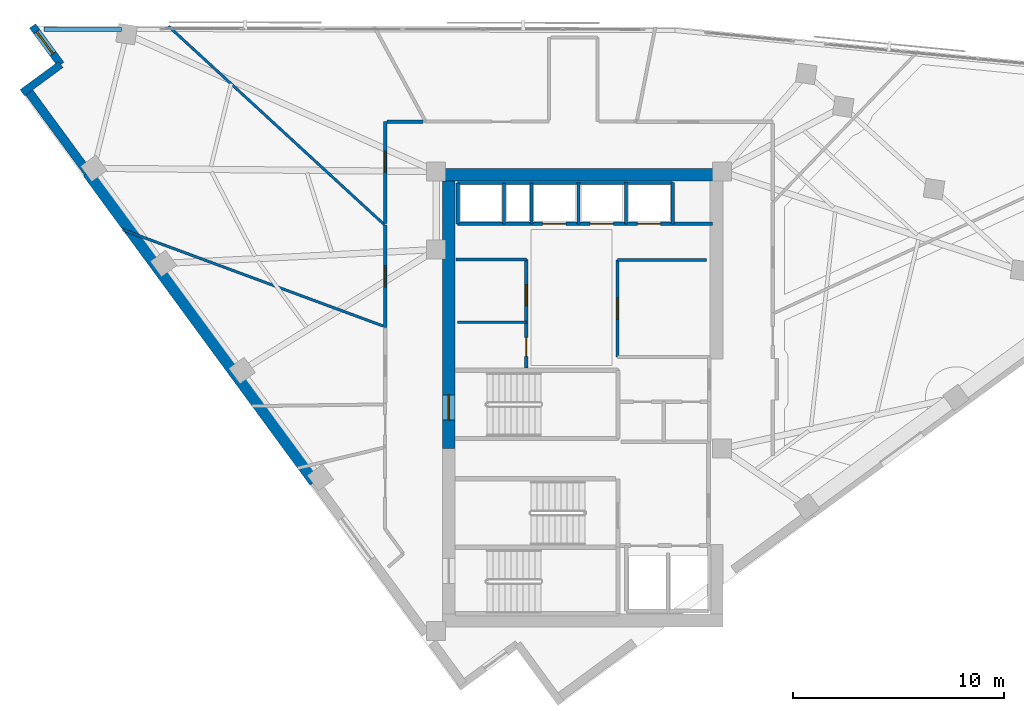
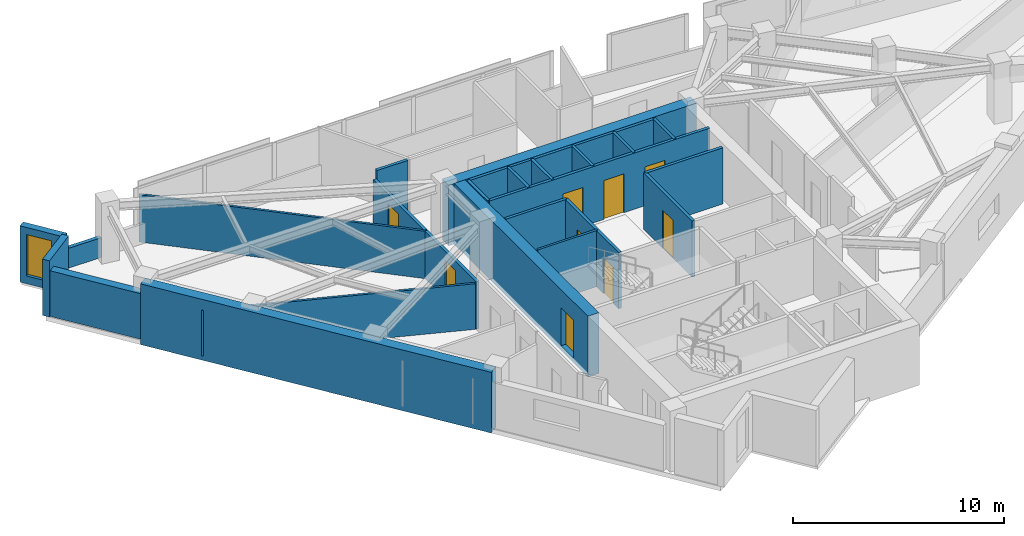
# One storey, part 9 of 13: 26 walls, 9 doors, 1 window, 10 openings.
"""IFC4 building model written with IfcOpenShell, lengths in metres."""

from ifc_helpers import new_model, si_unit, direction, frame, frame_2d, origin, place, context, subcontext, project, spatial, rectangle, extrude, material, layer, layer_set, type_object, element, fill, save


model = new_model("IFC4")

# Units and contexts
model_context = context("Model", 3, precision=1e-05, world=origin(), true_north=direction((0.0, 1.0)))
body_context = subcontext(model_context, "Body", "Model", "MODEL_VIEW")
ifc_project = project(units=[si_unit("LENGTHUNIT", "METRE"), si_unit("AREAUNIT", "SQUARE_METRE"), si_unit("VOLUMEUNIT", "CUBIC_METRE"), si_unit("PLANEANGLEUNIT", "RADIAN"), si_unit("MASSUNIT", "GRAM", prefix="KILO")], contexts=[model_context])

# Site, building, storey
site_placement = place(None, origin())
site = spatial("IfcSite", under=ifc_project, at=site_placement, CompositionType="ELEMENT")
building_placement = place(site_placement, origin())
building = spatial("IfcBuilding", under=site, at=building_placement, Name="Narakoshi Arena Tower", CompositionType="ELEMENT")
storey_placement = place(building_placement, frame((0.0, 0.0, 239.6201171875)))
storey = spatial("IfcBuildingStorey", under=building, at=storey_placement, Name="L65", CompositionType="ELEMENT", Elevation=239.6201171875)

# Wall, opening, door
ifc_material_1 = material(Name="Concrete C50/60", Category="concrete")
ifc_layer_1 = layer(ifc_material_1, 0.60009765625)
ifc_layer_set_1 = layer_set([ifc_layer_1], Name="Concrete C50/60")
wall_type_1 = type_object("IfcWallType", Name="WL-CORE-600", PredefinedType="SHEAR", material=ifc_layer_set_1)
wall_1_placement = place(storey_placement, frame((72.60009765625, 43.35009765625, -0.260009765625), z_axis=(0.0, 0.0, 1.0), x_axis=(0.0, 1.0, 0.0)))
wall_1 = element("IfcWall", 1, at=wall_1_placement, inside=storey, type_object=wall_type_1, Name="L65 Main Core Shear Wall CW-MN-W", PredefinedType="SHEAR", context=body_context, shape_type="SweptSolid", body=[
    extrude(rectangle(XDim=12.699951171875, YDim=0.60009765625, at=frame_2d((6.35009765625, 0.0))), origin(), (0.0, 0.0, 1.0), 3.519775390625),
])
opening_1_placement = place(wall_1_placement, frame((1.35009765625, 0.0, 0.260009765625)))
opening_1 = element("IfcOpeningElement", 2, at=opening_1_placement, cuts=wall_1, Name="Opening D-03", PredefinedType="OPENING", context=body_context, shape_type="SweptSolid", body=[
    extrude(rectangle(XDim=1.199951171875, YDim=2.199951171875, at=frame_2d((0.60009765625, 1.10009765625))), frame((0.0, 0.31005859375, 0.0), z_axis=(0.0, -1.0, 0.0), x_axis=(1.0, 0.0, 0.0)), (0.0, 0.0, 1.0), 0.6201171875),
])
ifc_material_2 = material(Name="Painted galvanized steel", Category="steel")
door_type_1 = type_object("IfcDoorType", Name="DR-STR-1200", OperationType="NOTDEFINED", PredefinedType="USERDEFINED", material=ifc_material_2)
door_1_placement = place(opening_1_placement, frame((1.199951171875, 0.0, 0.0), z_axis=(0.0, 0.0, 1.0), x_axis=(-1.0, 0.0, 0.0)))
door_1 = element("IfcDoor", 3, at=door_1_placement, inside=storey, type_object=door_type_1, Name="DR-L65-006", ObjectType="EXITDOOR", OperationType="SINGLE_SWING_LEFT", OverallHeight=2.199951171875, OverallWidth=1.199951171875, PredefinedType="USERDEFINED", context=body_context, shape_type="SweptSolid", body=[
    extrude(rectangle(XDim=1.199951171875, YDim=2.199951171875, at=frame_2d((0.60009765625, 1.10009765625))), frame((0.0, 0.02490234375, 0.0), z_axis=(0.0, -1.0, 0.0), x_axis=(1.0, 0.0, 0.0)), (0.0, 0.0, 1.0), 0.050048828125),
])
fill(opening_1, door_1)

# Wall
wall_2_placement = place(storey_placement, frame((72.0, 56.35009765625, -0.260009765625), z_axis=(0.0, 0.0, 1.0), x_axis=(1.0, 0.0, 0.0)))
element("IfcWall", 4, at=wall_2_placement, inside=storey, type_object=wall_type_1, Name="L65 Main Core Shear Wall CW-MN-N", PredefinedType="SHEAR", context=body_context, shape_type="SweptSolid", body=[
    extrude(rectangle(XDim=13.60009765625, YDim=0.60009765625, at=frame_2d((6.800048828125, 0.0))), origin(), (0.0, 0.0, 1.0), 3.519775390625),
])

# Wall, opening, door
ifc_material_3 = material(Name="Gypsum plasterboard fire-rated partition")
ifc_layer_2 = layer(ifc_material_3, 0.1650390625)
ifc_layer_set_2 = layer_set([ifc_layer_2], Name="Gypsum plasterboard fire-rated partition")
wall_type_2 = type_object("IfcWallType", Name="WL-CORR-165", PredefinedType="PARTITIONING", material=ifc_layer_set_2)
wall_3_placement = place(storey_placement, frame((69.577880859375, 53.96826171875, 0.0), z_axis=(0.0, 0.0, 1.0), x_axis=(0.0, -1.0, 0.0)))
wall_3 = element("IfcWall", 5, at=wall_3_placement, inside=storey, type_object=wall_type_2, Name="L65 Corridor Partition 07-1", PredefinedType="PARTITIONING", context=body_context, shape_type="SweptSolid", body=[
    extrude(rectangle(XDim=4.87158203125, YDim=0.1650390625, at=frame_2d((2.435791015625, 0.0))), origin(), (0.0, 0.0, 1.0), 2.744873046875),
])
opening_2_placement = place(wall_3_placement, frame((1.935791015625, 0.0, 0.0)))
opening_2 = element("IfcOpeningElement", 6, at=opening_2_placement, cuts=wall_3, Name="Opening D-06", PredefinedType="OPENING", context=body_context, shape_type="SweptSolid", body=[
    extrude(rectangle(XDim=1.0, YDim=2.199951171875, at=frame_2d((0.5, 1.10009765625))), frame((0.0, 0.092529296875, 0.0), z_axis=(0.0, -1.0, 0.0), x_axis=(1.0, 0.0, 0.0)), (0.0, 0.0, 1.0), 0.18505859375),
])
ifc_material_4 = material(Name="Stained oak solid-core timber", Category="wood")
door_type_2 = type_object("IfcDoorType", Name="DR-OFF-1000", OperationType="NOTDEFINED", PredefinedType="DOOR", material=ifc_material_4)
door_2_placement = place(opening_2_placement, frame((1.0, 0.0, 0.0), z_axis=(0.0, 0.0, 1.0), x_axis=(-1.0, 0.0, 0.0)))
door_2 = element("IfcDoor", 7, at=door_2_placement, inside=storey, type_object=door_type_2, Name="DR-L65-022", OperationType="SINGLE_SWING_LEFT", OverallHeight=2.199951171875, OverallWidth=1.0, PredefinedType="DOOR", context=body_context, shape_type="SweptSolid", body=[
    extrude(rectangle(XDim=1.0, YDim=2.199951171875, at=frame_2d((0.5, 1.10009765625))), frame((0.0, 0.02490234375, 0.0), z_axis=(0.0, -1.0, 0.0), x_axis=(1.0, 0.0, 0.0)), (0.0, 0.0, 1.0), 0.050048828125),
])
fill(opening_2, door_2)

wall_4_placement = place(storey_placement, frame((69.577880859375, 58.872314453125, 0.0), z_axis=(0.0, 0.0, 1.0), x_axis=(0.0, -1.0, 0.0)))
wall_4 = element("IfcWall", 8, at=wall_4_placement, inside=storey, type_object=wall_type_2, Name="L65 Corridor Partition 08-1", PredefinedType="PARTITIONING", context=body_context, shape_type="SweptSolid", body=[
    extrude(rectangle(XDim=4.830322265625, YDim=0.1650390625, at=frame_2d((2.4150390625, 0.0))), origin(), (0.0, 0.0, 1.0), 2.744873046875),
])
opening_3_placement = place(wall_4_placement, frame((1.400634765625, 0.0, 0.0)))
opening_3 = element("IfcOpeningElement", 9, at=opening_3_placement, cuts=wall_4, Name="Opening D-06", PredefinedType="OPENING", context=body_context, shape_type="SweptSolid", body=[
    extrude(rectangle(XDim=1.0, YDim=2.199951171875, at=frame_2d((0.5, 1.10009765625))), frame((0.0, 0.092529296875, 0.0), z_axis=(0.0, -1.0, 0.0), x_axis=(1.0, 0.0, 0.0)), (0.0, 0.0, 1.0), 0.18505859375),
])
door_3_placement = place(opening_3_placement, frame((1.0, 0.0, 0.0), z_axis=(0.0, 0.0, 1.0), x_axis=(-1.0, 0.0, 0.0)))
door_3 = element("IfcDoor", 10, at=door_3_placement, inside=storey, type_object=door_type_2, Name="DR-L65-023", OperationType="SINGLE_SWING_RIGHT", OverallHeight=2.199951171875, OverallWidth=1.0, PredefinedType="DOOR", context=body_context, shape_type="SweptSolid", body=[
    extrude(rectangle(XDim=1.0, YDim=2.199951171875, at=frame_2d((0.5, 1.10009765625))), frame((0.0, 0.02490234375, 0.0), z_axis=(0.0, -1.0, 0.0), x_axis=(1.0, 0.0, 0.0)), (0.0, 0.0, 1.0), 0.050048828125),
])
fill(opening_3, door_3)

# Walls
wall_5_placement = place(storey_placement, frame((71.3671875, 58.872314453125, 0.0), z_axis=(0.0, 0.0, 1.0), x_axis=(-1.0, 0.0, 0.0)))
element("IfcWall", 11, at=wall_5_placement, inside=storey, type_object=wall_type_2, Name="L65 Corridor Partition 08-2", PredefinedType="PARTITIONING", context=body_context, shape_type="SweptSolid", body=[
    extrude(rectangle(XDim=1.69482421875, YDim=0.1650390625, at=frame_2d((0.847412109375, 0.0))), origin(), (0.0, 0.0, 1.0), 3.259765625),
])
ifc_layer_3 = layer(ifc_material_1, 0.550048828125)
ifc_layer_set_3 = layer_set([ifc_layer_3], Name="Concrete C50/60")
wall_type_3 = type_object("IfcWallType", Name="WL-LEG-550", PredefinedType="SHEAR", material=ifc_layer_set_3)
wall_6_placement = place(storey_placement, frame((55.47509765625, 56.450439453125, -0.260009765625), z_axis=(0.0, 0.0, 1.0), x_axis=(0.591309555876, -0.806444672082, 0.0)))
element("IfcWall", 12, at=wall_6_placement, inside=storey, type_object=wall_type_3, Name="L65 Architectural Concrete Structural Wall LEGB-2", PredefinedType="SHEAR", context=body_context, shape_type="SweptSolid", body=[
    extrude(rectangle(XDim=18.1923828125, YDim=0.550048828125, at=frame_2d((9.09619140625, 0.0))), origin(), (0.0, 0.0, 1.0), 3.519775390625),
])
ifc_material_5 = material(Name="Precast concrete C45/55", Category="concrete")
ifc_layer_4 = layer(ifc_material_5, 0.25)
ifc_layer_set_4 = layer_set([ifc_layer_4], Name="Precast concrete C45/55")
wall_type_4 = type_object("IfcWallType", Name="WL-PARA-250", PredefinedType="PARAPET", material=ifc_layer_set_4)
wall_7_placement = place(storey_placement, frame((57.064208984375, 63.240966796875, 0.0), z_axis=(0.0, 0.0, 1.0), x_axis=(-0.999998274159, 0.001857869529, 0.0)))
element("IfcWall", 13, at=wall_7_placement, inside=storey, type_object=wall_type_4, Name="L65 Hypotenuse Sill Upstand Parapet 2-02", PredefinedType="PARAPET", context=body_context, shape_type="SweptSolid", body=[
    extrude(rectangle(XDim=3.679443359375, YDim=0.199951171875, at=frame_2d((1.83984375, 0.0))), origin(), (0.0, 0.0, 1.0), 1.14990234375),
])
ifc_layer_5 = layer(ifc_material_3, 0.125)
ifc_layer_set_5 = layer_set([ifc_layer_5], Name="Gypsum plasterboard fire-rated partition")
wall_type_5 = type_object("IfcWallType", Name="WL-PART-125", PredefinedType="PARTITIONING", material=ifc_layer_set_5)
wall_8_placement = place(storey_placement, frame((73.0, 49.35009765625, 0.0), z_axis=(0.0, 0.0, 1.0), x_axis=(1.0, 0.0, 0.0)))
element("IfcWall", 14, at=wall_8_placement, inside=storey, type_object=wall_type_5, Name="L65 Core Wall RCL-LR-D1", PredefinedType="PARTITIONING", context=body_context, shape_type="SweptSolid", body=[
    extrude(rectangle(XDim=3.280029296875, YDim=0.125, at=frame_2d((1.64013671875, 0.0))), origin(), (0.0, 0.0, 1.0), 3.259765625),
])
wall_9_placement = place(storey_placement, frame((59.295166015625, 63.39697265625, 0.0), z_axis=(0.0, 0.0, 1.0), x_axis=(0.736065490845, -0.676910328764, 0.0)))
element("IfcWall", 15, at=wall_9_placement, inside=storey, type_object=wall_type_5, Name="L65 Inter-Room Partition 07-08", PredefinedType="PARTITIONING", context=body_context, shape_type="SweptSolid", body=[
    extrude(rectangle(XDim=13.928955078125, YDim=0.125, at=frame_2d((6.96435546875, 0.0))), origin(), (0.0, 0.0, 1.0), 2.744873046875),
])
wall_10_placement = place(storey_placement, frame((69.4833984375, 49.170166015625, 0.0), z_axis=(0.0, 0.0, 1.0), x_axis=(-0.93795796186, 0.346748989593, 0.0)))
element("IfcWall", 16, at=wall_10_placement, inside=storey, type_object=wall_type_5, Name="L65 Inter-Room Partition 07-09", PredefinedType="PARTITIONING", context=body_context, shape_type="SweptSolid", body=[
    extrude(rectangle(XDim=13.1796875, YDim=0.125, at=frame_2d((6.58984375, 0.0))), origin(), (0.0, 0.0, 1.0), 2.644775390625),
])
ifc_layer_6 = layer(ifc_material_5, 0.419921875)
ifc_layer_set_6 = layer_set([ifc_layer_6], Name="Precast concrete C45/55")
wall_type_6 = type_object("IfcWallType", Name="WL-POD-420", PredefinedType="SOLIDWALL", material=ifc_layer_set_6)
wall_11_placement = place(storey_placement, frame((52.578857421875, 60.400390625, 0.0), z_axis=(0.0, 0.0, 1.0), x_axis=(0.591311800505, -0.806443026248, 0.0)))
element("IfcWall", 17, at=wall_11_placement, inside=storey, type_object=wall_type_6, Name="L65 Architectural Concrete Facade Wall LEGB-1", PredefinedType="SOLIDWALL", context=body_context, shape_type="SweptSolid", body=[
    extrude(rectangle(XDim=4.89794921875, YDim=0.419921875, at=frame_2d((2.448974609375, 0.0))), origin(), (0.0, 0.0, 1.0), 2.644775390625),
])

# Wall, opening, window
wall_12_placement = place(storey_placement, frame((52.84521484375, 63.40869140625, 0.0), z_axis=(0.0, 0.0, 1.0), x_axis=(0.591251685745, -0.806487101015, 0.0)))
wall_12 = element("IfcWall", 18, at=wall_12_placement, inside=storey, type_object=wall_type_6, Name="L65 Re-Entrant Corner Notch Wall NTN-1", PredefinedType="SOLIDWALL", context=body_context, shape_type="SweptSolid", body=[
    extrude(rectangle(XDim=2.2685546875, YDim=0.360107421875, at=frame_2d((1.13427734375, 0.0))), origin(), (0.0, 0.0, 1.0), 3.259765625),
])
opening_4_placement = place(wall_12_placement, frame((0.340087890625, 0.0, 0.449951171875)))
opening_4 = element("IfcOpeningElement", 19, at=opening_4_placement, cuts=wall_12, Name="Opening WN-06", PredefinedType="OPENING", context=body_context, shape_type="SweptSolid", body=[
    extrude(rectangle(XDim=1.300048828125, YDim=2.39990234375, at=frame_2d((0.64990234375, 1.199951171875))), frame((0.0, 0.18994140625, 0.0), z_axis=(0.0, -1.0, 0.0), x_axis=(1.0, 0.0, 0.0)), (0.0, 0.0, 1.0), 0.380126953125),
])
ifc_material_6 = material(Name="Bronze-tinted low-E laminated glass", Category="glass")
window_type = type_object("IfcWindowType", Name="WIN-NTC-16x24", PartitioningType="SINGLE_PANEL", PredefinedType="WINDOW", material=ifc_material_6)
window_placement = place(opening_4_placement, origin())
window = element("IfcWindow", 20, at=window_placement, inside=storey, type_object=window_type, Name="L65 Corner Notch Window NTN", OverallHeight=2.39990234375, OverallWidth=1.300048828125, PartitioningType="SINGLE_PANEL", PredefinedType="WINDOW", context=body_context, shape_type="SweptSolid", body=[
    extrude(rectangle(XDim=1.300048828125, YDim=2.39990234375, at=frame_2d((0.64990234375, 1.199951171875))), frame((0.0, 0.030029296875, 0.0), z_axis=(0.0, -1.0, 0.0), x_axis=(1.0, 0.0, 0.0)), (0.0, 0.0, 1.0), 0.06005859375),
])
fill(opening_4, window)

# Walls
wall_13_placement = place(storey_placement, frame((54.1865234375, 61.5791015625, 0.0), z_axis=(0.0, 0.0, 1.0), x_axis=(-0.806449475274, -0.591303005092, 0.0)))
element("IfcWall", 21, at=wall_13_placement, inside=storey, type_object=wall_type_6, Name="L65 Re-Entrant Corner Notch Wall NTN-2", PredefinedType="SOLIDWALL", context=body_context, shape_type="SweptSolid", body=[
    extrude(rectangle(XDim=2.268310546875, YDim=0.360107421875, at=frame_2d((1.13427734375, 0.0))), origin(), (0.0, 0.0, 1.0), 3.259765625),
])
ifc_material_7 = material(Name="Concrete C40/50", Category="concrete")
ifc_layer_7 = layer(ifc_material_7, 0.280029296875)
ifc_layer_set_7 = layer_set([ifc_layer_7], Name="Concrete C40/50")
wall_type_7 = type_object("IfcWallType", Name="WL-RISER-280", PredefinedType="PLUMBINGWALL", material=ifc_layer_set_7)
for number, where, z_axis, x_axis, name in (
    (22, (73.02001953125, 54.02001953125, 0.0), (0.0, 0.0, 1.0), (0.0, 1.0, 0.0), "L65 Core Wall OBS-W"),
    (23, (75.219970703125, 54.02001953125, 0.0), (0.0, 0.0, 1.0), (0.0, 1.0, 0.0), "L65 Core Wall OBS-M"),
):
    element("IfcWall", number, at=place(storey_placement, frame(where, z_axis=z_axis, x_axis=x_axis)), inside=storey, type_object=wall_type_7, Name=name, PredefinedType="PLUMBINGWALL", context=body_context, shape_type="SweptSolid", body=[
        extrude(rectangle(XDim=1.93994140625, YDim=0.14990234375, at=frame_2d((0.969970703125, 0.0))), origin(), (0.0, 0.0, 1.0), 3.259765625),
    ])
for number, where, z_axis, x_axis, name in (
    (24, (78.75, 54.02001953125, 0.0), (0.0, 0.0, 1.0), (0.0, 1.0, 0.0), "L65 Core Wall HR-D1"),
    (25, (81.0, 54.02001953125, 0.0), (0.0, 0.0, 1.0), (0.0, 1.0, 0.0), "L65 Core Wall HR-D2"),
):
    element("IfcWall", number, at=place(storey_placement, frame(where, z_axis=z_axis, x_axis=x_axis)), inside=storey, type_object=wall_type_7, Name=name, PredefinedType="PLUMBINGWALL", context=body_context, shape_type="SweptSolid", body=[
        extrude(rectangle(XDim=1.9599609375, YDim=0.14990234375, at=frame_2d((0.97998046875, 0.0))), origin(), (0.0, 0.0, 1.0), 3.259765625),
    ])

# Wall, openings, doors
ifc_layer_8 = layer(ifc_material_1, 0.35009765625)
ifc_layer_set_8 = layer_set([ifc_layer_8], Name="Concrete C50/60")
wall_type_8 = type_object("IfcWallType", Name="WL-SHAFT-350", PredefinedType="SOLIDWALL", material=ifc_layer_set_8)
wall_14_placement = place(storey_placement, frame((76.280029296875, 47.179931640625, 0.0), z_axis=(0.0, 0.0, 1.0), x_axis=(0.0, 1.0, 0.0)))
wall_14 = element("IfcWall", 26, at=wall_14_placement, inside=storey, type_object=wall_type_8, Name="L65 Core Wall LR-E", PredefinedType="SOLIDWALL", context=body_context, shape_type="SweptSolid", body=[
    extrude(rectangle(XDim=5.14013671875, YDim=0.159912109375, at=frame_2d((2.570068359375, 0.0))), origin(), (0.0, 0.0, 1.0), 3.259765625),
])
opening_5_placement = place(wall_14_placement, frame((0.550048828125, 0.0, 0.0)))
opening_5 = element("IfcOpeningElement", 27, at=opening_5_placement, cuts=wall_14, Name="Opening D-08", PredefinedType="OPENING", context=body_context, shape_type="SweptSolid", body=[
    extrude(rectangle(XDim=0.89990234375, YDim=2.10009765625, at=frame_2d((0.449951171875, 1.050048828125))), frame((0.0, 0.08984375, 0.0), z_axis=(0.0, -1.0, 0.0), x_axis=(1.0, 0.0, 0.0)), (0.0, 0.0, 1.0), 0.179931640625),
])
opening_6_placement = place(wall_14_placement, frame((2.949951171875, 0.0, 0.0)))
opening_6 = element("IfcOpeningElement", 28, at=opening_6_placement, cuts=wall_14, Name="Opening D-06", PredefinedType="OPENING", context=body_context, shape_type="SweptSolid", body=[
    extrude(rectangle(XDim=1.0, YDim=2.199951171875, at=frame_2d((0.5, 1.10009765625))), frame((0.0, 0.08984375, 0.0), z_axis=(0.0, -1.0, 0.0), x_axis=(1.0, 0.0, 0.0)), (0.0, 0.0, 1.0), 0.179931640625),
])
door_4_placement = place(opening_6_placement, frame((1.0, 0.0, 0.0), z_axis=(0.0, 0.0, 1.0), x_axis=(-1.0, 0.0, 0.0)))
door_4 = element("IfcDoor", 29, at=door_4_placement, inside=storey, type_object=door_type_2, Name="DR-L65-011", OperationType="SINGLE_SWING_LEFT", OverallHeight=2.199951171875, OverallWidth=1.0, PredefinedType="DOOR", context=body_context, shape_type="SweptSolid", body=[
    extrude(rectangle(XDim=1.0, YDim=2.199951171875, at=frame_2d((0.5, 1.10009765625))), frame((0.0, 0.02490234375, 0.0), z_axis=(0.0, -1.0, 0.0), x_axis=(1.0, 0.0, 0.0)), (0.0, 0.0, 1.0), 0.050048828125),
])
fill(opening_6, door_4)
ifc_material_8 = material(Name="Moisture-resistant laminate timber", Category="wood")
door_type_3 = type_object("IfcDoorType", Name="DR-WC-900", OperationType="NOTDEFINED", PredefinedType="DOOR", material=ifc_material_8)
door_5_placement = place(opening_5_placement, frame((0.89990234375, 0.0, 0.0), z_axis=(0.0, 0.0, 1.0), x_axis=(-1.0, 0.0, 0.0)))
door_5 = element("IfcDoor", 30, at=door_5_placement, inside=storey, type_object=door_type_3, Name="DR-L65-010", OperationType="SINGLE_SWING_RIGHT", OverallHeight=2.10009765625, OverallWidth=0.89990234375, PredefinedType="DOOR", context=body_context, shape_type="SweptSolid", body=[
    extrude(rectangle(XDim=0.89990234375, YDim=2.10009765625, at=frame_2d((0.449951171875, 1.050048828125))), frame((0.0, 0.02490234375, 0.0), z_axis=(0.0, -1.0, 0.0), x_axis=(1.0, 0.0, 0.0)), (0.0, 0.0, 1.0), 0.050048828125),
])
fill(opening_5, door_5)

# Wall
wall_15_placement = place(storey_placement, frame((72.949951171875, 52.320068359375, 0.0), z_axis=(0.0, 0.0, 1.0), x_axis=(1.0, 0.0, 0.0)))
element("IfcWall", 31, at=wall_15_placement, inside=storey, type_object=wall_type_8, Name="L65 Core Wall LR-N", PredefinedType="SOLIDWALL", context=body_context, shape_type="SweptSolid", body=[
    extrude(rectangle(XDim=3.330078125, YDim=0.14990234375, at=frame_2d((1.6650390625, 0.0))), origin(), (0.0, 0.0, 1.0), 3.259765625),
])

# Wall, opening, door
wall_16_placement = place(storey_placement, frame((80.60009765625, 47.699951171875, 0.0), z_axis=(0.0, 0.0, 1.0), x_axis=(0.0, 1.0, 0.0)))
wall_16 = element("IfcWall", 32, at=wall_16_placement, inside=storey, type_object=wall_type_8, Name="L65 Core Wall MR-W", PredefinedType="SOLIDWALL", context=body_context, shape_type="SweptSolid", body=[
    extrude(rectangle(XDim=4.60009765625, YDim=0.159912109375, at=frame_2d((2.300048828125, 0.0))), origin(), (0.0, 0.0, 1.0), 3.259765625),
])
opening_7_placement = place(wall_16_placement, frame((1.800048828125, 0.0, 0.0)))
opening_7 = element("IfcOpeningElement", 33, at=opening_7_placement, cuts=wall_16, Name="Opening D-06", PredefinedType="OPENING", context=body_context, shape_type="SweptSolid", body=[
    extrude(rectangle(XDim=1.0, YDim=2.199951171875, at=frame_2d((0.5, 1.10009765625))), frame((0.0, 0.08984375, 0.0), z_axis=(0.0, -1.0, 0.0), x_axis=(1.0, 0.0, 0.0)), (0.0, 0.0, 1.0), 0.179931640625),
])
door_6_placement = place(opening_7_placement, origin())
door_6 = element("IfcDoor", 34, at=door_6_placement, inside=storey, type_object=door_type_2, Name="DR-L65-012", OperationType="SINGLE_SWING_LEFT", OverallHeight=2.199951171875, OverallWidth=1.0, PredefinedType="DOOR", context=body_context, shape_type="SweptSolid", body=[
    extrude(rectangle(XDim=1.0, YDim=2.199951171875, at=frame_2d((0.5, 1.10009765625))), frame((0.0, 0.02490234375, 0.0), z_axis=(0.0, -1.0, 0.0), x_axis=(1.0, 0.0, 0.0)), (0.0, 0.0, 1.0), 0.050048828125),
])
fill(opening_7, door_6)

# Wall
wall_17_placement = place(storey_placement, frame((80.60009765625, 52.300048828125, 0.0), z_axis=(0.0, 0.0, 1.0), x_axis=(1.0, 0.0, 0.0)))
element("IfcWall", 35, at=wall_17_placement, inside=storey, type_object=wall_type_8, Name="L65 Core Wall MR-N", PredefinedType="SOLIDWALL", context=body_context, shape_type="SweptSolid", body=[
    extrude(rectangle(XDim=4.219970703125, YDim=0.159912109375, at=frame_2d((2.10986328125, 0.0))), origin(), (0.0, 0.0, 1.0), 3.259765625),
])

# Wall, openings, doors
wall_18_placement = place(storey_placement, frame((73.02001953125, 54.02001953125, 0.0), z_axis=(0.0, 0.0, 1.0), x_axis=(1.0, 0.0, 0.0)))
wall_18 = element("IfcWall", 36, at=wall_18_placement, inside=storey, type_object=wall_type_8, Name="L65 Core Wall NSHF-S", PredefinedType="SOLIDWALL", context=body_context, shape_type="SweptSolid", body=[
    extrude(rectangle(XDim=12.080078125, YDim=0.159912109375, at=frame_2d((6.0400390625, 0.0))), origin(), (0.0, 0.0, 1.0), 3.259765625),
])
opening_8_placement = place(wall_18_placement, frame((4.030029296875, 0.0, 0.0)))
opening_8 = element("IfcOpeningElement", 37, at=opening_8_placement, cuts=wall_18, Name="Opening LD-01", PredefinedType="OPENING", context=body_context, shape_type="SweptSolid", body=[
    extrude(rectangle(XDim=1.10009765625, YDim=2.25, at=frame_2d((0.550048828125, 1.125))), frame((0.0, 0.08984375, 0.0), z_axis=(0.0, -1.0, 0.0), x_axis=(1.0, 0.0, 0.0)), (0.0, 0.0, 1.0), 0.179931640625),
])
opening_9_placement = place(wall_18_placement, frame((6.280029296875, 0.0, 0.0)))
opening_9 = element("IfcOpeningElement", 38, at=opening_9_placement, cuts=wall_18, Name="Opening LD-01", PredefinedType="OPENING", context=body_context, shape_type="SweptSolid", body=[
    extrude(rectangle(XDim=1.10009765625, YDim=2.25, at=frame_2d((0.550048828125, 1.125))), frame((0.0, 0.08984375, 0.0), z_axis=(0.0, -1.0, 0.0), x_axis=(1.0, 0.0, 0.0)), (0.0, 0.0, 1.0), 0.179931640625),
])
opening_10_placement = place(wall_18_placement, frame((8.530029296875, 0.0, 0.0)))
opening_10 = element("IfcOpeningElement", 39, at=opening_10_placement, cuts=wall_18, Name="Opening LD-01", PredefinedType="OPENING", context=body_context, shape_type="SweptSolid", body=[
    extrude(rectangle(XDim=1.10009765625, YDim=2.25, at=frame_2d((0.550048828125, 1.125))), frame((0.0, 0.08984375, 0.0), z_axis=(0.0, -1.0, 0.0), x_axis=(1.0, 0.0, 0.0)), (0.0, 0.0, 1.0), 0.179931640625),
])
ifc_material_9 = material(Name="Brushed bronze stainless steel", Category="steel")
door_type_4 = type_object("IfcDoorType", Name="DR-LFT-1100", OperationType="DOUBLE_DOOR_SLIDING", PredefinedType="DOOR", material=ifc_material_9)
door_7_placement = place(opening_8_placement, origin())
door_7 = element("IfcDoor", 40, at=door_7_placement, inside=storey, type_object=door_type_4, Name="DR-L65-013", OperationType="DOUBLE_DOOR_SLIDING", OverallHeight=2.25, OverallWidth=1.10009765625, PredefinedType="DOOR", context=body_context, shape_type="SweptSolid", body=[
    extrude(rectangle(XDim=1.10009765625, YDim=2.25, at=frame_2d((0.550048828125, 1.125))), frame((0.0, 0.02490234375, 0.0), z_axis=(0.0, -1.0, 0.0), x_axis=(1.0, 0.0, 0.0)), (0.0, 0.0, 1.0), 0.050048828125),
])
fill(opening_8, door_7)
door_8_placement = place(opening_9_placement, origin())
door_8 = element("IfcDoor", 41, at=door_8_placement, inside=storey, type_object=door_type_4, Name="DR-L65-014", OperationType="DOUBLE_DOOR_SLIDING", OverallHeight=2.25, OverallWidth=1.10009765625, PredefinedType="DOOR", context=body_context, shape_type="SweptSolid", body=[
    extrude(rectangle(XDim=1.10009765625, YDim=2.25, at=frame_2d((0.550048828125, 1.125))), frame((0.0, 0.02490234375, 0.0), z_axis=(0.0, -1.0, 0.0), x_axis=(1.0, 0.0, 0.0)), (0.0, 0.0, 1.0), 0.050048828125),
])
fill(opening_9, door_8)
door_9_placement = place(opening_10_placement, origin())
door_9 = element("IfcDoor", 42, at=door_9_placement, inside=storey, type_object=door_type_4, Name="DR-L65-015", OperationType="DOUBLE_DOOR_SLIDING", OverallHeight=2.25, OverallWidth=1.10009765625, PredefinedType="DOOR", context=body_context, shape_type="SweptSolid", body=[
    extrude(rectangle(XDim=1.10009765625, YDim=2.25, at=frame_2d((0.550048828125, 1.125))), frame((0.0, 0.02490234375, 0.0), z_axis=(0.0, -1.0, 0.0), x_axis=(1.0, 0.0, 0.0)), (0.0, 0.0, 1.0), 0.050048828125),
])
fill(opening_10, door_9)

# Walls
wall_19_placement = place(storey_placement, frame((73.02001953125, 55.9599609375, 0.0), z_axis=(0.0, 0.0, 1.0), x_axis=(1.0, 0.0, 0.0)))
element("IfcWall", 43, at=wall_19_placement, inside=storey, type_object=wall_type_8, Name="L65 Core Wall OBS-N", PredefinedType="SOLIDWALL", context=body_context, shape_type="SweptSolid", body=[
    extrude(rectangle(XDim=3.5, YDim=0.14990234375, at=frame_2d((1.75, 0.0))), origin(), (0.0, 0.0, 1.0), 3.259765625),
])
wall_20_placement = place(storey_placement, frame((76.52001953125, 54.02001953125, 0.0), z_axis=(0.0, 0.0, 1.0), x_axis=(0.0, 1.0, 0.0)))
element("IfcWall", 44, at=wall_20_placement, inside=storey, type_object=wall_type_8, Name="L65 Core Wall OBS-E", PredefinedType="SOLIDWALL", context=body_context, shape_type="SweptSolid", body=[
    extrude(rectangle(XDim=1.93994140625, YDim=0.14990234375, at=frame_2d((0.969970703125, 0.0))), origin(), (0.0, 0.0, 1.0), 3.259765625),
])
wall_21_placement = place(storey_placement, frame((83.219970703125, 54.02001953125, 0.0), z_axis=(0.0, 0.0, 1.0), x_axis=(0.0, 1.0, 0.0)))
element("IfcWall", 45, at=wall_21_placement, inside=storey, type_object=wall_type_8, Name="L65 Core Wall HR-E", PredefinedType="SOLIDWALL", context=body_context, shape_type="SweptSolid", body=[
    extrude(rectangle(XDim=1.9599609375, YDim=0.14990234375, at=frame_2d((0.97998046875, 0.0))), origin(), (0.0, 0.0, 1.0), 3.259765625),
])
wall_22_placement = place(storey_placement, frame((76.52001953125, 55.9599609375, 0.0), z_axis=(0.0, 0.0, 1.0), x_axis=(1.0, 0.0, 0.0)))
element("IfcWall", 46, at=wall_22_placement, inside=storey, type_object=wall_type_8, Name="L65 Core Wall HR-N", PredefinedType="SOLIDWALL", context=body_context, shape_type="SweptSolid", body=[
    extrude(rectangle(XDim=6.699951171875, YDim=0.14990234375, at=frame_2d((3.35009765625, 0.0))), origin(), (0.0, 0.0, 1.0), 3.259765625),
])

save(model, "model.ifc")
